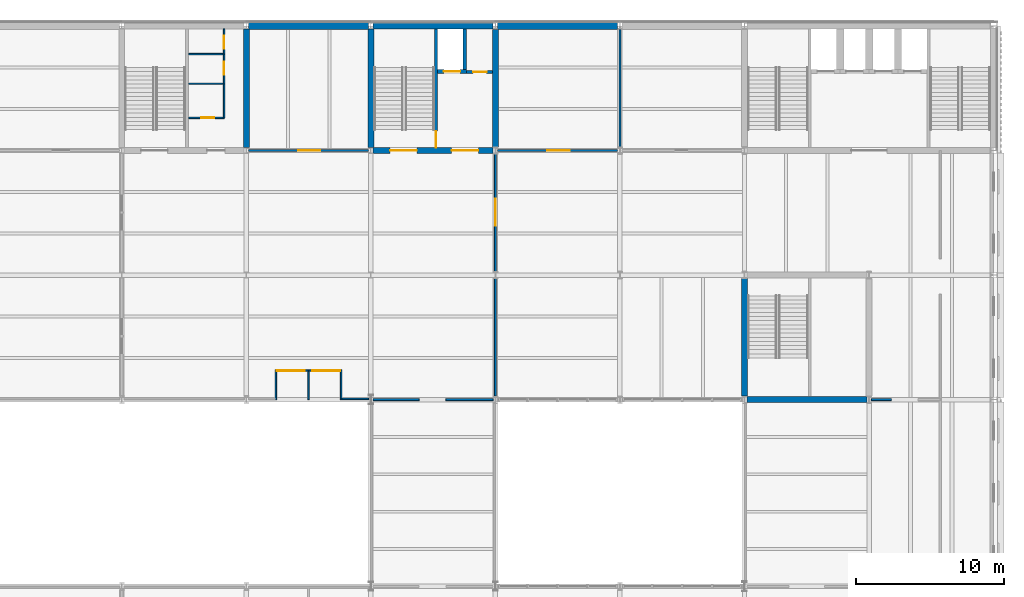
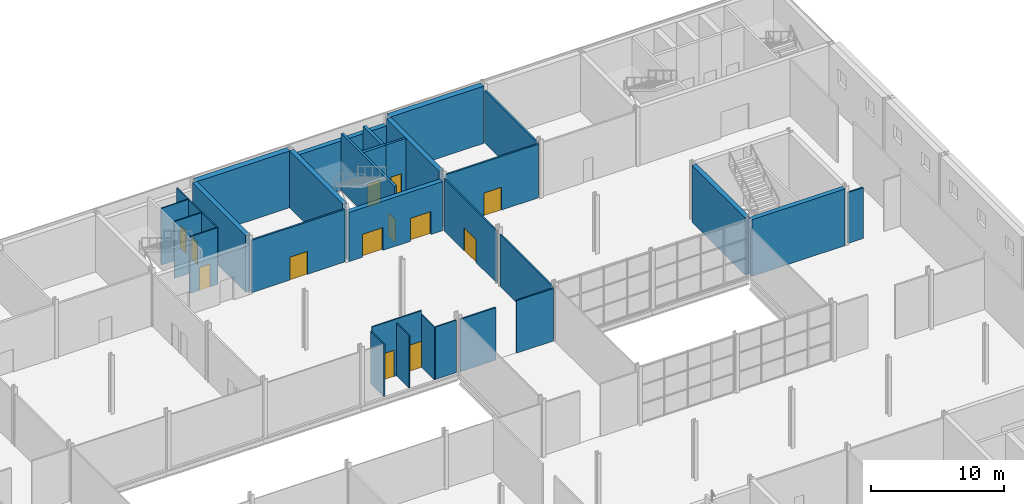
# One storey, part 34 of 57: 32 walls, 13 doors, 13 openings.
"""IFC4 building model written with IfcOpenShell, lengths in metres."""

from ifc_helpers import new_model, si_unit, direction, frame, frame_2d, origin, place, context, subcontext, project, spatial, rectangle, extrude, material, layer, layer_set, type_object, element, fill, save


model = new_model("IFC4")

# Units and contexts
model_context = context("Model", 3, precision=1e-05, world=origin(), true_north=direction((0.0, 1.0)))
body_context = subcontext(model_context, "Body", "Model", "MODEL_VIEW")
ifc_project = project(units=[si_unit("LENGTHUNIT", "METRE"), si_unit("AREAUNIT", "SQUARE_METRE"), si_unit("VOLUMEUNIT", "CUBIC_METRE"), si_unit("PLANEANGLEUNIT", "RADIAN"), si_unit("MASSUNIT", "GRAM", prefix="KILO")], contexts=[model_context])

# Site, building, storey
site_placement = place(None, origin())
site = spatial("IfcSite", under=ifc_project, at=site_placement, CompositionType="ELEMENT")
building_placement = place(site_placement, origin())
building = spatial("IfcBuilding", under=site, at=building_placement, Name="Galleria Vessillo Department Store", CompositionType="ELEMENT")
storey_placement = place(building_placement, frame((0.0, 0.0, 25.800048828125)))
storey = spatial("IfcBuildingStorey", under=building, at=storey_placement, Name="L05", CompositionType="ELEMENT", Elevation=25.800048828125)

# Walls
ifc_material_1 = material(Name="Fire-resisting glass in steel frame S355 J2", Category="steel")
ifc_layer_1 = layer(ifc_material_1, 0.10009765625)
ifc_layer_set_1 = layer_set([ifc_layer_1], Name="Fire-resisting glass in steel frame S355 J2")
wall_type_1 = type_object("IfcWallType", Name="Fire-resisting glazed screen EI 120-Sa 100 mm", PredefinedType="PARTITIONING", material=ifc_layer_set_1)
wall_1_placement = place(storey_placement, frame((73.64990234375, 37.85009765625, 0.0), z_axis=(0.0, 0.0, 1.0), x_axis=(1.0, 0.0, 0.0)))
element("IfcWall", 1, at=wall_1_placement, inside=storey, type_object=wall_type_1, Name="Fire screen, atrium edge L05", PredefinedType="PARTITIONING", context=body_context, shape_type="SweptSolid", body=[
    extrude(rectangle(XDim=1.797607421875, YDim=0.10009765625, at=frame_2d((0.89892578125, 0.0))), origin(), (0.0, 0.0, 1.0), 4.809814453125),
])
wall_2_placement = place(storey_placement, frame((69.2001953125, 37.800048828125, 0.0), z_axis=(0.0, 0.0, 1.0), x_axis=(0.0, 1.0, 0.0)))
element("IfcWall", 2, at=wall_2_placement, inside=storey, type_object=wall_type_1, Name="Fire screen, landing alcove side L05", PredefinedType="PARTITIONING", context=body_context, shape_type="SweptSolid", body=[
    extrude(rectangle(XDim=2.0, YDim=0.10009765625, at=frame_2d((1.0, 0.0))), origin(), (0.0, 0.0, 1.0), 4.809814453125),
])
wall_3_placement = place(storey_placement, frame((71.400146484375, 37.800048828125, 0.0), z_axis=(0.0, 0.0, 1.0), x_axis=(0.0, 1.0, 0.0)))
element("IfcWall", 3, at=wall_3_placement, inside=storey, type_object=wall_type_1, Name="Fire screen, landing alcove side L05", PredefinedType="PARTITIONING", context=body_context, shape_type="SweptSolid", body=[
    extrude(rectangle(XDim=1.89990234375, YDim=0.10009765625, at=frame_2d((0.949951171875, 0.0))), origin(), (0.0, 0.0, 1.0), 4.809814453125),
])
wall_4_placement = place(storey_placement, frame((73.599853515625, 37.800048828125, 0.0), z_axis=(0.0, 0.0, 1.0), x_axis=(0.0, 1.0, 0.0)))
element("IfcWall", 4, at=wall_4_placement, inside=storey, type_object=wall_type_1, Name="Fire screen, landing alcove side L05", PredefinedType="PARTITIONING", context=body_context, shape_type="SweptSolid", body=[
    extrude(rectangle(XDim=2.0, YDim=0.10009765625, at=frame_2d((1.0, 0.0))), origin(), (0.0, 0.0, 1.0), 4.809814453125),
])

# Wall, openings, doors
wall_5_placement = place(storey_placement, frame((69.250244140625, 39.75, 0.0), z_axis=(0.0, 0.0, 1.0), x_axis=(1.0, 0.0, 0.0)))
wall_5 = element("IfcWall", 5, at=wall_5_placement, inside=storey, type_object=wall_type_1, Name="Fire screen, landing alcove back wall L05", PredefinedType="PARTITIONING", context=body_context, shape_type="SweptSolid", body=[
    extrude(rectangle(XDim=4.299560546875, YDim=0.10009765625, at=frame_2d((2.14990234375, 0.0))), origin(), (0.0, 0.0, 1.0), 5.199951171875),
])
opening_1_placement = place(wall_5_placement, origin())
opening_1 = element("IfcOpeningElement", 6, at=opening_1_placement, cuts=wall_5, Name="Opening D5367", PredefinedType="OPENING", context=body_context, shape_type="SweptSolid", body=[
    extrude(rectangle(XDim=1.90990234375, YDim=2.39990234375, at=frame_2d((0.945068359375, 1.199951171875))), frame((0.0, 0.06005859375, 0.0), z_axis=(0.0, -1.0, 0.0), x_axis=(1.0, 0.0, 0.0)), (0.0, 0.0, 1.0), 0.1201171875),
])
opening_2_placement = place(wall_5_placement, frame((2.399658203125, 0.0, 0.0)))
opening_2 = element("IfcOpeningElement", 7, at=opening_2_placement, cuts=wall_5, Name="Opening D5368", PredefinedType="OPENING", context=body_context, shape_type="SweptSolid", body=[
    extrude(rectangle(XDim=1.90990234375, YDim=2.39990234375, at=frame_2d((0.954833984375, 1.199951171875))), frame((0.0, 0.06005859375, 0.0), z_axis=(0.0, -1.0, 0.0), x_axis=(1.0, 0.0, 0.0)), (0.0, 0.0, 1.0), 0.1201171875),
])
ifc_material_2 = material(Name="Fire-resisting glazed door leaf in steel frame S355 J2", Category="steel")
door_type_1 = type_object("IfcDoorType", Name="Fire sliding door EI2 120-Sa 1900 x 2400 mm", OperationType="DOUBLE_DOOR_SLIDING", PredefinedType="DOOR", material=ifc_material_2)
door_1_placement = place(opening_1_placement, origin())
door_1 = element("IfcDoor", 8, at=door_1_placement, inside=storey, type_object=door_type_1, Name="Fire sliding door, escalator landing L05-01", OperationType="DOUBLE_DOOR_SLIDING", OverallHeight=2.39990234375, OverallWidth=1.89990234375, PredefinedType="DOOR", context=body_context, shape_type="SweptSolid", body=[
    extrude(rectangle(XDim=1.89990234375, YDim=2.39990234375, at=frame_2d((0.949951171875, 1.199951171875))), frame((0.0, 0.02490234375, 0.0), z_axis=(0.0, -1.0, 0.0), x_axis=(1.0, 0.0, 0.0)), (0.0, 0.0, 1.0), 0.050048828125),
])
fill(opening_1, door_1)
door_2_placement = place(opening_2_placement, origin())
door_2 = element("IfcDoor", 9, at=door_2_placement, inside=storey, type_object=door_type_1, Name="Fire sliding door, escalator landing L05-02", OperationType="DOUBLE_DOOR_SLIDING", OverallHeight=2.39990234375, OverallWidth=1.89990234375, PredefinedType="DOOR", context=body_context, shape_type="SweptSolid", body=[
    extrude(rectangle(XDim=1.89990234375, YDim=2.39990234375, at=frame_2d((0.949951171875, 1.199951171875))), frame((0.0, 0.02490234375, 0.0), z_axis=(0.0, -1.0, 0.0), x_axis=(1.0, 0.0, 0.0)), (0.0, 0.0, 1.0), 0.050048828125),
])
fill(opening_2, door_2)

# Wall, opening, door
ifc_material_3 = material(Name="Solid clay block masonry", Category="masonry")
ifc_layer_2 = layer(ifc_material_3, 0.25)
ifc_layer_set_2 = layer_set([ifc_layer_2], Name="Solid clay block masonry")
wall_type_2 = type_object("IfcWallType", Name="Lift shaft wall 250 mm", PredefinedType="SOLIDWALL", material=ifc_layer_set_2)
wall_6_placement = place(storey_placement, frame((80.10009765625, 59.925048828125, 0.0), z_axis=(0.0, 0.0, 1.0), x_axis=(1.0, 0.0, 0.0)))
wall_6 = element("IfcWall", 10, at=wall_6_placement, inside=storey, type_object=wall_type_2, Name="Lift shaft wall LP6 landing side L05", PredefinedType="SOLIDWALL", context=body_context, shape_type="SweptSolid", body=[
    extrude(rectangle(XDim=1.949951171875, YDim=0.25, at=frame_2d((0.97509765625, 0.0))), origin(), (0.0, 0.0, 1.0), 5.199951171875),
])
opening_3_placement = place(wall_6_placement, frame((0.4248046875, 0.0, 0.0)))
opening_3 = element("IfcOpeningElement", 11, at=opening_3_placement, cuts=wall_6, Name="Opening LD048", PredefinedType="OPENING", context=body_context, shape_type="SweptSolid", body=[
    extrude(rectangle(XDim=1.10009765625, YDim=2.10009765625, at=frame_2d((0.550048828125, 1.050048828125))), frame((0.0, 0.135009765625, 0.0), z_axis=(0.0, -1.0, 0.0), x_axis=(1.0, 0.0, 0.0)), (0.0, 0.0, 1.0), 0.27001953125),
])
ifc_material_4 = material(Name="Stainless steel lift door panel", Category="steel")
door_type_2 = type_object("IfcDoorType", Name="Lift landing door LD110 sliding 1100 x 2100", OperationType="SLIDING_TO_LEFT", PredefinedType="DOOR", material=ifc_material_4)
door_3_placement = place(opening_3_placement, frame((1.10009765625, 0.0, 0.0), z_axis=(0.0, 0.0, 1.0), x_axis=(-1.0, 0.0, 0.0)))
door_3 = element("IfcDoor", 12, at=door_3_placement, inside=storey, type_object=door_type_2, Name="Lift landing door LP6 L05", OperationType="SLIDING_TO_RIGHT", OverallHeight=2.10009765625, OverallWidth=1.10009765625, PredefinedType="DOOR", context=body_context, shape_type="SweptSolid", body=[
    extrude(rectangle(XDim=1.10009765625, YDim=2.10009765625, at=frame_2d((0.550048828125, 1.050048828125))), frame((0.0, 0.02490234375, 0.0), z_axis=(0.0, -1.0, 0.0), x_axis=(1.0, 0.0, 0.0)), (0.0, 0.0, 1.0), 0.050048828125),
])
fill(opening_3, door_3)

# Walls
wall_7_placement = place(storey_placement, frame((81.925048828125, 62.800048828125, 0.0), z_axis=(0.0, 0.0, 1.0), x_axis=(0.0, -1.0, 0.0)))
element("IfcWall", 13, at=wall_7_placement, inside=storey, type_object=wall_type_2, Name="Lift shaft wall LP6 L05", PredefinedType="SOLIDWALL", context=body_context, shape_type="SweptSolid", body=[
    extrude(rectangle(XDim=2.75, YDim=0.25, at=frame_2d((1.375, 0.0))), origin(), (0.0, 0.0, 1.0), 5.199951171875),
])
ifc_material_5 = material(Name="Gypsum board partition")
ifc_layer_3 = layer(ifc_material_5, 0.125)
ifc_layer_set_3 = layer_set([ifc_layer_3], Name="Gypsum board partition")
wall_type_3 = type_object("IfcWallType", Name="Office partition 125 mm", PredefinedType="PARTITIONING", material=ifc_layer_set_3)
wall_8_placement = place(storey_placement, frame((84.0, 38.0390625, 0.0), z_axis=(0.0, 0.0, 1.0), x_axis=(0.0, 1.0, 0.0)))
element("IfcWall", 14, at=wall_8_placement, inside=storey, type_object=wall_type_3, Name="Partition wall PT2 on L05 no. 067", PredefinedType="PARTITIONING", context=body_context, shape_type="SweptSolid", body=[
    extrude(rectangle(XDim=7.921875, YDim=0.125, at=frame_2d((3.9609375, 0.0))), origin(), (0.0, 0.0, 1.0), 4.760009765625),
])

# Wall, opening, door
wall_9_placement = place(storey_placement, frame((84.0, 46.43896484375, 0.0), z_axis=(0.0, 0.0, 1.0), x_axis=(0.0, 1.0, 0.0)))
wall_9 = element("IfcWall", 15, at=wall_9_placement, inside=storey, type_object=wall_type_3, Name="Partition wall PT2 on L05 no. 068", PredefinedType="PARTITIONING", context=body_context, shape_type="SweptSolid", body=[
    extrude(rectangle(XDim=7.922119140625, YDim=0.125, at=frame_2d((3.9609375, 0.0))), origin(), (0.0, 0.0, 1.0), 4.760009765625),
])
opening_4_placement = place(wall_9_placement, frame((3.10009765625, 0.0, 0.0)))
opening_4 = element("IfcOpeningElement", 16, at=opening_4_placement, cuts=wall_9, Name="Opening D2734", PredefinedType="OPENING", context=body_context, shape_type="SweptSolid", body=[
    extrude(rectangle(XDim=1.800048828125, YDim=2.10009765625, at=frame_2d((0.89990234375, 1.050048828125))), frame((0.0, 0.072509765625, 0.0), z_axis=(0.0, -1.0, 0.0), x_axis=(1.0, 0.0, 0.0)), (0.0, 0.0, 1.0), 0.14501953125),
])
ifc_material_6 = material(Name="Timber and glass door leaf", Category="wood")
door_type_3 = type_object("IfcDoorType", Name="Floor door 1800 double leaf", OperationType="DOUBLE_DOOR_SINGLE_SWING", PredefinedType="DOOR", material=ifc_material_6)
door_4_placement = place(opening_4_placement, frame((1.800048828125, 0.0, 0.0), z_axis=(0.0, 0.0, 1.0), x_axis=(-1.0, 0.0, 0.0)))
door_4 = element("IfcDoor", 17, at=door_4_placement, inside=storey, type_object=door_type_3, Name="Door D2734", OperationType="DOUBLE_DOOR_SINGLE_SWING", OverallHeight=2.10009765625, OverallWidth=1.800048828125, PredefinedType="DOOR", context=body_context, shape_type="SweptSolid", body=[
    extrude(rectangle(XDim=1.800048828125, YDim=2.10009765625, at=frame_2d((0.89990234375, 1.050048828125))), frame((0.0, 0.02490234375, 0.0), z_axis=(0.0, -1.0, 0.0), x_axis=(1.0, 0.0, 0.0)), (0.0, 0.0, 1.0), 0.050048828125),
])
fill(opening_4, door_4)

# Walls
wall_10_placement = place(storey_placement, frame((75.752685546875, 37.800048828125, 0.0), z_axis=(0.0, 0.0, 1.0), x_axis=(1.0, 0.0, 0.0)))
element("IfcWall", 18, at=wall_10_placement, inside=storey, type_object=wall_type_3, Name="Partition wall PT2 on L05 no. 069", PredefinedType="PARTITIONING", context=body_context, shape_type="SweptSolid", body=[
    extrude(rectangle(XDim=3.099853515625, YDim=0.125, at=frame_2d((1.5498046875, 0.0))), origin(), (0.0, 0.0, 1.0), 4.809814453125),
])
wall_11_placement = place(storey_placement, frame((80.652587890625, 37.800048828125, 0.0), z_axis=(0.0, 0.0, 1.0), x_axis=(1.0, 0.0, 0.0)))
element("IfcWall", 19, at=wall_11_placement, inside=storey, type_object=wall_type_3, Name="Partition wall PT2 on L05 no. 070", PredefinedType="PARTITIONING", context=body_context, shape_type="SweptSolid", body=[
    extrude(rectangle(XDim=3.19384765625, YDim=0.125, at=frame_2d((1.596923828125, 0.0))), origin(), (0.0, 0.0, 1.0), 4.809814453125),
])
wall_12_placement = place(storey_placement, frame((109.353515625, 37.800048828125, 0.0), z_axis=(0.0, 0.0, 1.0), x_axis=(1.0, 0.0, 0.0)))
element("IfcWall", 20, at=wall_12_placement, inside=storey, type_object=wall_type_3, Name="Partition wall PT2 on L05 no. 071", PredefinedType="PARTITIONING", context=body_context, shape_type="SweptSolid", body=[
    extrude(rectangle(XDim=1.349853515625, YDim=0.125, at=frame_2d((0.6748046875, 0.0))), origin(), (0.0, 0.0, 1.0), 4.659912109375),
])

# Wall, openings, doors
ifc_material_7 = material(Name="Concrete C32/40 reinforced", Category="concrete")
ifc_layer_4 = layer(ifc_material_7, 0.39990234375)
ifc_layer_set_4 = layer_set([ifc_layer_4], Name="Concrete C32/40 reinforced")
wall_type_4 = type_object("IfcWallType", Name="Reinforced concrete core wall 400 mm", PredefinedType="SHEAR", material=ifc_layer_set_4)
wall_13_placement = place(storey_placement, frame((75.75, 54.60009765625, 0.0), z_axis=(0.0, 0.0, 1.0), x_axis=(1.0, 0.0, 0.0)))
wall_13 = element("IfcWall", 21, at=wall_13_placement, inside=storey, type_object=wall_type_4, Name="S-CW-PC-NE-INTERIOR-L05", PredefinedType="SHEAR", context=body_context, shape_type="SweptSolid", body=[
    extrude(rectangle(XDim=8.096435546875, YDim=0.39990234375, at=frame_2d((4.04833984375, 0.0))), origin(), (0.0, 0.0, 1.0), 4.510009765625),
])
opening_5_placement = place(wall_13_placement, frame((1.14990234375, 0.0, 0.0)))
opening_5 = element("IfcOpeningElement", 22, at=opening_5_placement, cuts=wall_13, Name="Opening D5187", PredefinedType="OPENING", context=body_context, shape_type="SweptSolid", body=[
    extrude(rectangle(XDim=1.800048828125, YDim=2.10009765625, at=frame_2d((0.89990234375, 1.050048828125))), frame((0.0, 0.2099609375, 0.0), z_axis=(0.0, -1.0, 0.0), x_axis=(1.0, 0.0, 0.0)), (0.0, 0.0, 1.0), 0.419921875),
])
opening_6_placement = place(wall_13_placement, frame((5.2998046875, 0.0, 0.0)))
opening_6 = element("IfcOpeningElement", 23, at=opening_6_placement, cuts=wall_13, Name="Opening D5188", PredefinedType="OPENING", context=body_context, shape_type="SweptSolid", body=[
    extrude(rectangle(XDim=1.800048828125, YDim=2.10009765625, at=frame_2d((0.89990234375, 1.050048828125))), frame((0.0, 0.2099609375, 0.0), z_axis=(0.0, -1.0, 0.0), x_axis=(1.0, 0.0, 0.0)), (0.0, 0.0, 1.0), 0.419921875),
])
ifc_material_8 = material(Name="Fire-rated steel door leaf", Category="steel")
door_type_4 = type_object("IfcDoorType", Name="Door D180F double leaf 1800 x 2100", OperationType="DOUBLE_DOOR_SINGLE_SWING", PredefinedType="DOOR", material=ifc_material_8)
door_5_placement = place(opening_5_placement, origin())
door_5 = element("IfcDoor", 24, at=door_5_placement, inside=storey, type_object=door_type_4, Name="Lobby door PC-NE-ST-FLOOR L05", OperationType="DOUBLE_DOOR_SINGLE_SWING", OverallHeight=2.10009765625, OverallWidth=1.800048828125, PredefinedType="DOOR", context=body_context, shape_type="SweptSolid", body=[
    extrude(rectangle(XDim=1.800048828125, YDim=2.10009765625, at=frame_2d((0.89990234375, 1.050048828125))), frame((0.0, 0.02490234375, 0.0), z_axis=(0.0, -1.0, 0.0), x_axis=(1.0, 0.0, 0.0)), (0.0, 0.0, 1.0), 0.050048828125),
])
fill(opening_5, door_5)
door_6_placement = place(opening_6_placement, origin())
door_6 = element("IfcDoor", 25, at=door_6_placement, inside=storey, type_object=door_type_4, Name="Lobby door PC-NE-LOBBY-FLOOR L05", OperationType="DOUBLE_DOOR_SINGLE_SWING", OverallHeight=2.10009765625, OverallWidth=1.800048828125, PredefinedType="DOOR", context=body_context, shape_type="SweptSolid", body=[
    extrude(rectangle(XDim=1.800048828125, YDim=2.10009765625, at=frame_2d((0.89990234375, 1.050048828125))), frame((0.0, 0.02490234375, 0.0), z_axis=(0.0, -1.0, 0.0), x_axis=(1.0, 0.0, 0.0)), (0.0, 0.0, 1.0), 0.050048828125),
])
fill(opening_6, door_6)

# Walls
wall_14_placement = place(storey_placement, frame((75.60009765625, 54.800048828125, 0.0), z_axis=(0.0, 0.0, 1.0), x_axis=(0.0, 1.0, 0.0)))
element("IfcWall", 26, at=wall_14_placement, inside=storey, type_object=wall_type_4, Name="S-CW-PC-NE-WEST-L05", PredefinedType="SHEAR", context=body_context, shape_type="SweptSolid", body=[
    extrude(rectangle(XDim=8.0, YDim=0.39990234375, at=frame_2d((4.0, 0.0))), origin(), (0.0, 0.0, 1.0), 5.199951171875),
])
wall_15_placement = place(storey_placement, frame((84.0, 54.839111328125, 0.0), z_axis=(0.0, 0.0, 1.0), x_axis=(0.0, 1.0, 0.0)))
element("IfcWall", 27, at=wall_15_placement, inside=storey, type_object=wall_type_4, Name="S-CW-PC-NE-EAST-L05", PredefinedType="SHEAR", context=body_context, shape_type="SweptSolid", body=[
    extrude(rectangle(XDim=7.921875, YDim=0.39990234375, at=frame_2d((3.9609375, 0.0))), origin(), (0.0, 0.0, 1.0), 5.199951171875),
])
wall_16_placement = place(storey_placement, frame((67.199951171875, 54.800048828125, 0.0), z_axis=(0.0, 0.0, 1.0), x_axis=(0.0, 1.0, 0.0)))
element("IfcWall", 28, at=wall_16_placement, inside=storey, type_object=wall_type_4, Name="S-CW-PC-NC-EAST-L05", PredefinedType="SHEAR", context=body_context, shape_type="SweptSolid", body=[
    extrude(rectangle(XDim=8.0, YDim=0.39990234375, at=frame_2d((4.0, 0.0))), origin(), (0.0, 0.0, 1.0), 5.199951171875),
])
wall_17_placement = place(storey_placement, frame((100.95361328125, 37.800048828125, 0.0), z_axis=(0.0, 0.0, 1.0), x_axis=(1.0, 0.0, 0.0)))
element("IfcWall", 29, at=wall_17_placement, inside=storey, type_object=wall_type_4, Name="S-CW-TS-PARTY-L05", PredefinedType="SHEAR", context=body_context, shape_type="SweptSolid", body=[
    extrude(rectangle(XDim=8.0927734375, YDim=0.39990234375, at=frame_2d((4.04638671875, 0.0))), origin(), (0.0, 0.0, 1.0), 5.199951171875),
])
wall_18_placement = place(storey_placement, frame((100.800048828125, 38.0390625, 0.0), z_axis=(0.0, 0.0, 1.0), x_axis=(0.0, 1.0, 0.0)))
element("IfcWall", 30, at=wall_18_placement, inside=storey, type_object=wall_type_4, Name="S-CW-TS-WEST-L05", PredefinedType="SHEAR", context=body_context, shape_type="SweptSolid", body=[
    extrude(rectangle(XDim=7.921875, YDim=0.39990234375, at=frame_2d((3.9609375, 0.0))), origin(), (0.0, 0.0, 1.0), 5.25),
])
ifc_material_9 = material(Name="Concrete C32/40 reinforced", Category="concrete")
ifc_layer_5 = layer(ifc_material_9, 0.39990234375)
ifc_layer_set_5 = layer_set([ifc_layer_5], Name="Concrete C32/40 reinforced")
wall_type_5 = type_object("IfcWallType", Name="Reinforced concrete core wall 400 mm, external", PredefinedType="SHEAR", material=ifc_layer_set_5)
wall_19_placement = place(storey_placement, frame((75.75, 63.0, 0.0), z_axis=(0.0, 0.0, 1.0), x_axis=(1.0, 0.0, 0.0)))
element("IfcWall", 31, at=wall_19_placement, inside=storey, type_object=wall_type_5, Name="S-CW-PC-NE-PARTY-L05", PredefinedType="SHEAR", context=body_context, shape_type="SweptSolid", body=[
    extrude(rectangle(XDim=8.096435546875, YDim=0.39990234375, at=frame_2d((4.04833984375, 0.0))), origin(), (0.0, 0.0, 1.0), 4.510009765625),
])
ifc_material_10 = material(Name="Concrete C32/40 reinforced", Category="concrete")
ifc_layer_6 = layer(ifc_material_10, 0.5)
ifc_layer_set_6 = layer_set([ifc_layer_6], Name="Concrete C32/40 reinforced")
wall_type_6 = type_object("IfcWallType", Name="Reinforced concrete party wall 500 mm", PredefinedType="SHEAR", material=ifc_layer_set_6)
wall_20_placement = place(storey_placement, frame((67.349853515625, 63.0, 0.0), z_axis=(0.0, 0.0, 1.0), x_axis=(1.0, 0.0, 0.0)))
element("IfcWall", 32, at=wall_20_placement, inside=storey, type_object=wall_type_6, Name="S-PN-L05-06", PredefinedType="SHEAR", context=body_context, shape_type="SweptSolid", body=[
    extrude(rectangle(XDim=8.100341796875, YDim=0.5, at=frame_2d((4.05029296875, 0.0))), origin(), (0.0, 0.0, 1.0), 5.199951171875),
])
wall_21_placement = place(storey_placement, frame((84.153564453125, 63.0, 0.0), z_axis=(0.0, 0.0, 1.0), x_axis=(1.0, 0.0, 0.0)))
element("IfcWall", 33, at=wall_21_placement, inside=storey, type_object=wall_type_6, Name="S-PN-L05-07", PredefinedType="SHEAR", context=body_context, shape_type="SweptSolid", body=[
    extrude(rectangle(XDim=8.0927734375, YDim=0.5, at=frame_2d((4.04638671875, 0.0))), origin(), (0.0, 0.0, 1.0), 5.25),
])

# Wall, opening, door
ifc_material_11 = material(Name="Concrete C32/40 reinforced", Category="concrete")
ifc_layer_7 = layer(ifc_material_11, 0.199951171875)
ifc_layer_set_7 = layer_set([ifc_layer_7], Name="Concrete C32/40 reinforced")
wall_type_7 = type_object("IfcWallType", Name="Reinforced concrete stair enclosure wall 200 mm", PredefinedType="SHEAR", material=ifc_layer_set_7)
wall_22_placement = place(storey_placement, frame((80.0, 62.800048828125, 0.0), z_axis=(0.0, 0.0, 1.0), x_axis=(0.0, -1.0, 0.0)))
wall_22 = element("IfcWall", 34, at=wall_22_placement, inside=storey, type_object=wall_type_7, Name="Stair enclosure wall PC-NE L05", PredefinedType="SHEAR", context=body_context, shape_type="SweptSolid", body=[
    extrude(rectangle(XDim=8.0, YDim=0.199951171875, at=frame_2d((4.0, 0.0))), origin(), (0.0, 0.0, 1.0), 5.199951171875),
])
opening_7_placement = place(wall_22_placement, frame((6.89990234375, 0.0, 0.0)))
opening_7 = element("IfcOpeningElement", 35, at=opening_7_placement, cuts=wall_22, Name="Opening D5185", PredefinedType="OPENING", context=body_context, shape_type="SweptSolid", body=[
    extrude(rectangle(XDim=1.11009765625, YDim=2.10009765625, at=frame_2d((0.554931640625, 1.050048828125))), frame((0.0, 0.10986328125, 0.0), z_axis=(0.0, -1.0, 0.0), x_axis=(1.0, 0.0, 0.0)), (0.0, 0.0, 1.0), 0.219970703125),
])
ifc_material_12 = material(Name="Fire-rated steel door leaf", Category="steel")
door_type_5 = type_object("IfcDoorType", Name="Door D110F stair door 1100 x 2100", OperationType="SINGLE_SWING_LEFT", PredefinedType="DOOR", material=ifc_material_12)
door_7_placement = place(opening_7_placement, frame((1.10009765625, 0.0, 0.0), z_axis=(0.0, 0.0, 1.0), x_axis=(-1.0, 0.0, 0.0)))
door_7 = element("IfcDoor", 36, at=door_7_placement, inside=storey, type_object=door_type_5, Name="Stair door PC-NE-ST-LOBBY L05", OperationType="SINGLE_SWING_LEFT", OverallHeight=2.10009765625, OverallWidth=1.10009765625, PredefinedType="DOOR", context=body_context, shape_type="SweptSolid", body=[
    extrude(rectangle(XDim=1.10009765625, YDim=2.10009765625, at=frame_2d((0.550048828125, 1.050048828125))), frame((0.0, 0.02490234375, 0.0), z_axis=(0.0, -1.0, 0.0), x_axis=(1.0, 0.0, 0.0)), (0.0, 0.0, 1.0), 0.050048828125),
])
fill(opening_7, door_7)

ifc_material_13 = material(Name="Hollow clay block masonry", Category="masonry")
ifc_layer_8 = layer(ifc_material_13, 0.199951171875)
ifc_layer_set_8 = layer_set([ifc_layer_8], Name="Hollow clay block masonry")
wall_type_8 = type_object("IfcWallType", Name="Riser and service room wall 200 mm", PredefinedType="PARTITIONING", material=ifc_layer_set_8)
wall_23_placement = place(storey_placement, frame((82.050048828125, 59.900146484375, 0.0), z_axis=(0.0, 0.0, 1.0), x_axis=(1.0, 0.0, 0.0)))
wall_23 = element("IfcWall", 37, at=wall_23_placement, inside=storey, type_object=wall_type_8, Name="Riser wall PC-NE-RISER L05", PredefinedType="PARTITIONING", context=body_context, shape_type="SweptSolid", body=[
    extrude(rectangle(XDim=1.75, YDim=0.199951171875, at=frame_2d((0.875, 0.0))), origin(), (0.0, 0.0, 1.0), 5.199951171875),
])
opening_8_placement = place(wall_23_placement, frame((0.449951171875, 0.0, 0.0)))
opening_8 = element("IfcOpeningElement", 38, at=opening_8_placement, cuts=wall_23, Name="Opening D5186", PredefinedType="OPENING", context=body_context, shape_type="SweptSolid", body=[
    extrude(rectangle(XDim=0.89990234375, YDim=2.10009765625, at=frame_2d((0.449951171875, 1.050048828125))), frame((0.0, 0.10986328125, 0.0), z_axis=(0.0, -1.0, 0.0), x_axis=(1.0, 0.0, 0.0)), (0.0, 0.0, 1.0), 0.219970703125),
])
ifc_material_14 = material(Name="Fire-rated steel door leaf", Category="steel")
door_type_6 = type_object("IfcDoorType", Name="Door DR90 riser access 900 x 2100", OperationType="SINGLE_SWING_LEFT", PredefinedType="DOOR", material=ifc_material_14)
door_8_placement = place(opening_8_placement, origin())
door_8 = element("IfcDoor", 39, at=door_8_placement, inside=storey, type_object=door_type_6, Name="Riser door PC-NE-RISER-D L05", OperationType="SINGLE_SWING_RIGHT", OverallHeight=2.10009765625, OverallWidth=0.89990234375, PredefinedType="DOOR", context=body_context, shape_type="SweptSolid", body=[
    extrude(rectangle(XDim=0.89990234375, YDim=2.10009765625, at=frame_2d((0.449951171875, 1.050048828125))), frame((0.0, 0.02490234375, 0.0), z_axis=(0.0, -1.0, 0.0), x_axis=(1.0, 0.0, 0.0)), (0.0, 0.0, 1.0), 0.050048828125),
])
fill(opening_8, door_8)

ifc_material_15 = material(Name="Concrete blockwork", Category="masonry")
ifc_layer_9 = layer(ifc_material_15, 0.14990234375)
ifc_layer_set_9 = layer_set([ifc_layer_9], Name="Concrete blockwork")
wall_type_9 = type_object("IfcWallType", Name="Stockroom blockwork wall 150 mm", PredefinedType="SOLIDWALL", material=ifc_layer_set_9)
wall_24_placement = place(storey_placement, frame((67.349853515625, 54.60009765625, 0.0), z_axis=(0.0, 0.0, 1.0), x_axis=(1.0, 0.0, 0.0)))
wall_24 = element("IfcWall", 40, at=wall_24_placement, inside=storey, type_object=wall_type_9, Name="Partition wall PT4 on L05 no. 033", PredefinedType="SOLIDWALL", context=body_context, shape_type="SweptSolid", body=[
    extrude(rectangle(XDim=8.100341796875, YDim=0.14990234375, at=frame_2d((4.05029296875, 0.0))), origin(), (0.0, 0.0, 1.0), 4.809814453125),
])
opening_9_placement = place(wall_24_placement, frame((3.35009765625, 0.0, 0.0)))
opening_9 = element("IfcOpeningElement", 41, at=opening_9_placement, cuts=wall_24, Name="Opening D2722", PredefinedType="OPENING", context=body_context, shape_type="SweptSolid", body=[
    extrude(rectangle(XDim=1.5, YDim=2.10009765625, at=frame_2d((0.75, 1.050048828125))), frame((0.0, 0.0849609375, 0.0), z_axis=(0.0, -1.0, 0.0), x_axis=(1.0, 0.0, 0.0)), (0.0, 0.0, 1.0), 0.169921875),
])
ifc_material_16 = material(Name="Steel fire door leaf", Category="steel")
door_type_7 = type_object("IfcDoorType", Name="Stockroom fire door 1500 double leaf", OperationType="DOUBLE_DOOR_SINGLE_SWING", PredefinedType="DOOR", material=ifc_material_16)
door_9_placement = place(opening_9_placement, origin())
door_9 = element("IfcDoor", 42, at=door_9_placement, inside=storey, type_object=door_type_7, Name="Door D2722", OperationType="DOUBLE_DOOR_SINGLE_SWING", OverallHeight=2.10009765625, OverallWidth=1.5, PredefinedType="DOOR", context=body_context, shape_type="SweptSolid", body=[
    extrude(rectangle(XDim=1.5, YDim=2.10009765625, at=frame_2d((0.75, 1.050048828125))), frame((0.0, 0.02490234375, 0.0), z_axis=(0.0, -1.0, 0.0), x_axis=(1.0, 0.0, 0.0)), (0.0, 0.0, 1.0), 0.050048828125),
])
fill(opening_9, door_9)

# Wall
wall_25_placement = place(storey_placement, frame((92.39990234375, 54.839111328125, 0.0), z_axis=(0.0, 0.0, 1.0), x_axis=(0.0, 1.0, 0.0)))
element("IfcWall", 43, at=wall_25_placement, inside=storey, type_object=wall_type_9, Name="Partition wall PT4 on L05 no. 034", PredefinedType="SOLIDWALL", context=body_context, shape_type="SweptSolid", body=[
    extrude(rectangle(XDim=7.921875, YDim=0.14990234375, at=frame_2d((3.9609375, 0.0))), origin(), (0.0, 0.0, 1.0), 4.81005859375),
])

# Wall, opening, door
wall_26_placement = place(storey_placement, frame((84.153564453125, 54.60009765625, 0.0), z_axis=(0.0, 0.0, 1.0), x_axis=(1.0, 0.0, 0.0)))
wall_26 = element("IfcWall", 44, at=wall_26_placement, inside=storey, type_object=wall_type_9, Name="Partition wall PT4 on L05 no. 035", PredefinedType="SOLIDWALL", context=body_context, shape_type="SweptSolid", body=[
    extrude(rectangle(XDim=8.0927734375, YDim=0.14990234375, at=frame_2d((4.04638671875, 0.0))), origin(), (0.0, 0.0, 1.0), 4.919921875),
])
opening_10_placement = place(wall_26_placement, frame((3.35009765625, 0.0, 0.0)))
opening_10 = element("IfcOpeningElement", 45, at=opening_10_placement, cuts=wall_26, Name="Opening D2723", PredefinedType="OPENING", context=body_context, shape_type="SweptSolid", body=[
    extrude(rectangle(XDim=1.5, YDim=2.10009765625, at=frame_2d((0.75, 1.050048828125))), frame((0.0, 0.0849609375, 0.0), z_axis=(0.0, -1.0, 0.0), x_axis=(1.0, 0.0, 0.0)), (0.0, 0.0, 1.0), 0.169921875),
])
door_10_placement = place(opening_10_placement, frame((1.5, 0.0, 0.0), z_axis=(0.0, 0.0, 1.0), x_axis=(-1.0, 0.0, 0.0)))
door_10 = element("IfcDoor", 46, at=door_10_placement, inside=storey, type_object=door_type_7, Name="Door D2723", OperationType="DOUBLE_DOOR_SINGLE_SWING", OverallHeight=2.10009765625, OverallWidth=1.5, PredefinedType="DOOR", context=body_context, shape_type="SweptSolid", body=[
    extrude(rectangle(XDim=1.5, YDim=2.10009765625, at=frame_2d((0.75, 1.050048828125))), frame((0.0, 0.02490234375, 0.0), z_axis=(0.0, -1.0, 0.0), x_axis=(1.0, 0.0, 0.0)), (0.0, 0.0, 1.0), 0.050048828125),
])
fill(opening_10, door_10)

ifc_material_17 = material(Name="Moisture-resistant board partition")
ifc_layer_10 = layer(ifc_material_17, 0.10009765625)
ifc_layer_set_10 = layer_set([ifc_layer_10], Name="Moisture-resistant board partition")
wall_type_10 = type_object("IfcWallType", Name="WC and cubicle partition 100 mm", PredefinedType="PARTITIONING", material=ifc_layer_set_10)
wall_27_placement = place(storey_placement, frame((63.300048828125, 56.800048828125, 0.0), z_axis=(0.0, 0.0, 1.0), x_axis=(1.0, 0.0, 0.0)))
wall_27 = element("IfcWall", 47, at=wall_27_placement, inside=storey, type_object=wall_type_10, Name="Partition wall PT1 on L05 no. 007", PredefinedType="PARTITIONING", context=body_context, shape_type="SweptSolid", body=[
    extrude(rectangle(XDim=2.39990234375, YDim=0.10009765625, at=frame_2d((1.199951171875, 0.0))), origin(), (0.0, 0.0, 1.0), 5.199951171875),
])
opening_11_placement = place(wall_27_placement, frame((0.85009765625, 0.0, 0.0)))
opening_11 = element("IfcOpeningElement", 48, at=opening_11_placement, cuts=wall_27, Name="Opening D2704", PredefinedType="OPENING", context=body_context, shape_type="SweptSolid", body=[
    extrude(rectangle(XDim=0.89990234375, YDim=2.10009765625, at=frame_2d((0.449951171875, 1.050048828125))), frame((0.0, 0.06005859375, 0.0), z_axis=(0.0, -1.0, 0.0), x_axis=(1.0, 0.0, 0.0)), (0.0, 0.0, 1.0), 0.1201171875),
])
ifc_material_18 = material(Name="Timber and glass door leaf", Category="wood")
door_type_8 = type_object("IfcDoorType", Name="Floor door 900 single leaf", OperationType="SINGLE_SWING_LEFT", PredefinedType="DOOR", material=ifc_material_18)
door_11_placement = place(opening_11_placement, frame((0.89990234375, 0.0, 0.0), z_axis=(0.0, 0.0, 1.0), x_axis=(-1.0, 0.0, 0.0)))
door_11 = element("IfcDoor", 49, at=door_11_placement, inside=storey, type_object=door_type_8, Name="Door D2704", OperationType="SINGLE_SWING_RIGHT", OverallHeight=2.10009765625, OverallWidth=0.89990234375, PredefinedType="DOOR", context=body_context, shape_type="SweptSolid", body=[
    extrude(rectangle(XDim=0.89990234375, YDim=2.10009765625, at=frame_2d((0.449951171875, 1.050048828125))), frame((0.0, 0.02490234375, 0.0), z_axis=(0.0, -1.0, 0.0), x_axis=(1.0, 0.0, 0.0)), (0.0, 0.0, 1.0), 0.050048828125),
])
fill(opening_11, door_11)

# Wall
wall_28_placement = place(storey_placement, frame((65.699951171875, 56.800048828125, 0.0), z_axis=(0.0, 0.0, 1.0), x_axis=(0.0, 1.0, 0.0)))
element("IfcWall", 50, at=wall_28_placement, inside=storey, type_object=wall_type_10, Name="Partition wall PT1 on L05 no. 008", PredefinedType="PARTITIONING", context=body_context, shape_type="SweptSolid", body=[
    extrude(rectangle(XDim=2.300048828125, YDim=0.10009765625, at=frame_2d((1.14990234375, 0.0))), origin(), (0.0, 0.0, 1.0), 5.199951171875),
])

# Wall, opening, door
wall_29_placement = place(storey_placement, frame((65.699951171875, 59.10009765625, 0.0), z_axis=(0.0, 0.0, 1.0), x_axis=(0.0, 1.0, 0.0)))
wall_29 = element("IfcWall", 51, at=wall_29_placement, inside=storey, type_object=wall_type_10, Name="Partition wall PT1 on L05 no. 009", PredefinedType="PARTITIONING", context=body_context, shape_type="SweptSolid", body=[
    extrude(rectangle(XDim=2.0, YDim=0.10009765625, at=frame_2d((1.0, 0.0))), origin(), (0.0, 0.0, 1.0), 5.199951171875),
])
opening_12_placement = place(wall_29_placement, frame((0.60009765625, 0.0, 0.0)))
opening_12 = element("IfcOpeningElement", 52, at=opening_12_placement, cuts=wall_29, Name="Opening D2705", PredefinedType="OPENING", context=body_context, shape_type="SweptSolid", body=[
    extrude(rectangle(XDim=0.89990234375, YDim=2.10009765625, at=frame_2d((0.449951171875, 1.050048828125))), frame((0.0, 0.06005859375, 0.0), z_axis=(0.0, -1.0, 0.0), x_axis=(1.0, 0.0, 0.0)), (0.0, 0.0, 1.0), 0.1201171875),
])
door_12_placement = place(opening_12_placement, frame((0.89990234375, 0.0, 0.0), z_axis=(0.0, 0.0, 1.0), x_axis=(-1.0, 0.0, 0.0)))
door_12 = element("IfcDoor", 53, at=door_12_placement, inside=storey, type_object=door_type_8, Name="Door D2705", OperationType="SINGLE_SWING_RIGHT", OverallHeight=2.10009765625, OverallWidth=0.89990234375, PredefinedType="DOOR", context=body_context, shape_type="SweptSolid", body=[
    extrude(rectangle(XDim=0.89990234375, YDim=2.10009765625, at=frame_2d((0.449951171875, 1.050048828125))), frame((0.0, 0.02490234375, 0.0), z_axis=(0.0, -1.0, 0.0), x_axis=(1.0, 0.0, 0.0)), (0.0, 0.0, 1.0), 0.050048828125),
])
fill(opening_12, door_12)

wall_30_placement = place(storey_placement, frame((65.699951171875, 61.10009765625, 0.0), z_axis=(0.0, 0.0, 1.0), x_axis=(0.0, 1.0, 0.0)))
wall_30 = element("IfcWall", 54, at=wall_30_placement, inside=storey, type_object=wall_type_10, Name="Partition wall PT1 on L05 no. 010", PredefinedType="PARTITIONING", context=body_context, shape_type="SweptSolid", body=[
    extrude(rectangle(XDim=1.699951171875, YDim=0.10009765625, at=frame_2d((0.85009765625, 0.0))), origin(), (0.0, 0.0, 1.0), 5.199951171875),
])
opening_13_placement = place(wall_30_placement, frame((0.35009765625, 0.0, 0.0)))
opening_13 = element("IfcOpeningElement", 55, at=opening_13_placement, cuts=wall_30, Name="Opening D2706", PredefinedType="OPENING", context=body_context, shape_type="SweptSolid", body=[
    extrude(rectangle(XDim=0.89990234375, YDim=2.10009765625, at=frame_2d((0.449951171875, 1.050048828125))), frame((0.0, 0.06005859375, 0.0), z_axis=(0.0, -1.0, 0.0), x_axis=(1.0, 0.0, 0.0)), (0.0, 0.0, 1.0), 0.1201171875),
])
ifc_material_19 = material(Name="Timber and glass door leaf", Category="wood")
door_type_9 = type_object("IfcDoorType", Name="Accessible WC door 900 sliding", OperationType="SLIDING_TO_LEFT", PredefinedType="DOOR", material=ifc_material_19)
door_13_placement = place(opening_13_placement, origin())
door_13 = element("IfcDoor", 56, at=door_13_placement, inside=storey, type_object=door_type_9, Name="Door D2706", OperationType="SLIDING_TO_RIGHT", OverallHeight=2.10009765625, OverallWidth=0.89990234375, PredefinedType="DOOR", context=body_context, shape_type="SweptSolid", body=[
    extrude(rectangle(XDim=0.89990234375, YDim=2.10009765625, at=frame_2d((0.449951171875, 1.050048828125))), frame((0.0, 0.02490234375, 0.0), z_axis=(0.0, -1.0, 0.0), x_axis=(1.0, 0.0, 0.0)), (0.0, 0.0, 1.0), 0.050048828125),
])
fill(opening_13, door_13)

# Walls
for number, where, z_axis, x_axis, name in (
    (57, (63.300048828125, 59.10009765625, 0.0), (0.0, 0.0, 1.0), (1.0, 0.0, 0.0), "Partition wall PT1 on L05 no. 011"),
    (58, (63.300048828125, 61.10009765625, 0.0), (0.0, 0.0, 1.0), (1.0, 0.0, 0.0), "Partition wall PT1 on L05 no. 012"),
):
    element("IfcWall", number, at=place(storey_placement, frame(where, z_axis=z_axis, x_axis=x_axis)), inside=storey, type_object=wall_type_10, Name=name, PredefinedType="PARTITIONING", context=body_context, shape_type="SweptSolid", body=[
        extrude(rectangle(XDim=2.39990234375, YDim=0.10009765625, at=frame_2d((1.199951171875, 0.0))), origin(), (0.0, 0.0, 1.0), 5.199951171875),
    ])

save(model, "model.ifc")
